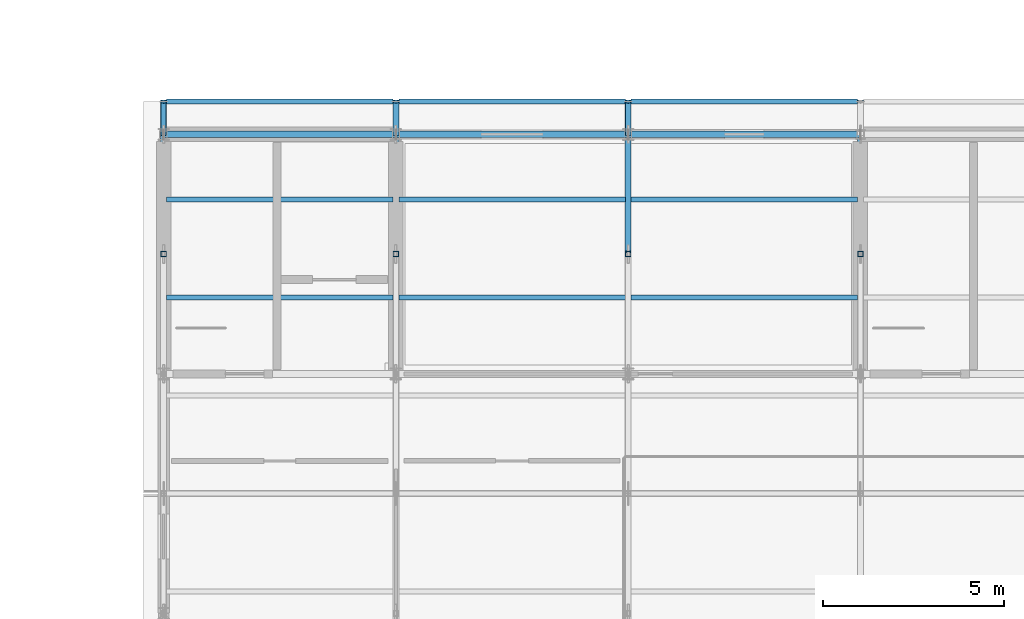
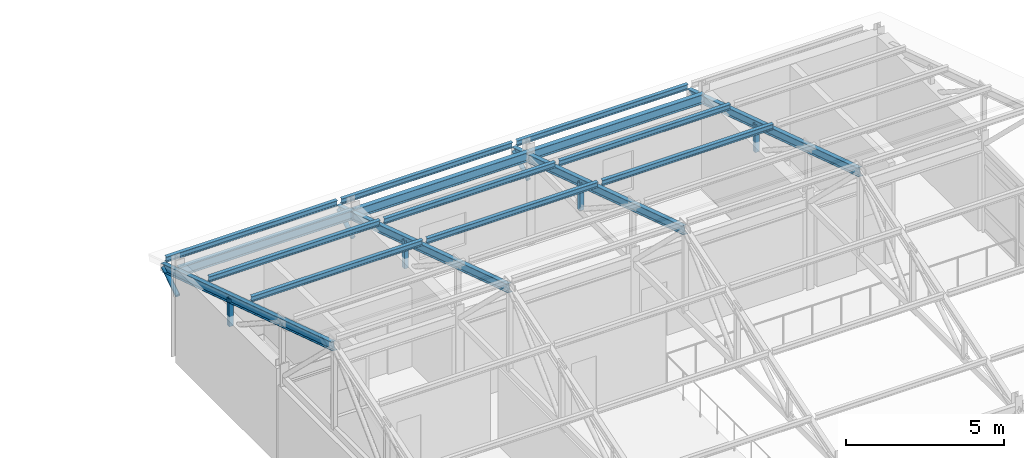
# One storey, part 16 of 57: 20 members, 3 beams.
"""IFC4 building model written with IfcOpenShell, lengths in metres."""

import ifcopenshell
import ifcopenshell.guid

model = None  # the IFC model being written
_history = None  # IfcOwnerHistory: only IFC2X3 demands one
_inside = {}  # id of a spatial element -> (the spatial element, [elements in it])
_under = {}  # id of a project, library or spatial element -> (it, [spatial elements below it])
_declared = {}  # id of a project -> (the project, [libraries it declares])
_typed = {}  # id of a type object -> (the type object, [elements of that type])
_made_of = {}  # id of a material, layer set ... -> (it, [elements and type objects made of it])


def new_model(schema):
    """Start an empty IFC model of exactly this schema.

    Asked for "IFC4X3", IfcOpenShell would pick the latest addendum, in which some entities
    have other attributes; the version numbers below select the first issue.
    IFC2X3 requires an IfcOwnerHistory on every rooted entity: one is made here for all.
    """
    global model, _history
    if schema == "IFC4X3":
        model = ifcopenshell.file(schema_version=(4, 3, 0, 0))
    else:
        model = ifcopenshell.file(schema=schema)
    _inside.clear()
    _under.clear()
    _declared.clear()
    _typed.clear()
    _made_of.clear()
    _history = None
    if model.schema == "IFC2X3":
        org = make("IfcOrganization", Name="unknown")
        user = make(
            "IfcPersonAndOrganization",
            ThePerson=make("IfcPerson", FamilyName="unknown"),
            TheOrganization=org,
        )
        app = make(
            "IfcApplication",
            ApplicationDeveloper=org,
            Version="unknown",
            ApplicationFullName="unknown",
            ApplicationIdentifier="unknown",
        )
        _history = make(
            "IfcOwnerHistory",
            OwningUser=user,
            OwningApplication=app,
            ChangeAction="ADDED",
            CreationDate=0,
        )
    return model


def make(cls, **values):
    """One entity of the class cls with the attributes given. An attribute that is None is left unset."""
    return model.create_entity(
        cls, **{name: value for name, value in values.items() if value is not None}
    )


def rooted(cls, **values):
    """An entity with a GlobalId (a new one), such as an element, a storey or a relation."""
    return make(cls, GlobalId=ifcopenshell.guid.new(), OwnerHistory=_history, **values)


def si_unit(unit_type, name, prefix=None):
    """IfcSIUnit, for example si_unit("LENGTHUNIT", "METRE", prefix="MILLI")."""
    return make("IfcSIUnit", UnitType=unit_type, Prefix=prefix, Name=name)


def assignment(units):
    """IfcUnitAssignment: the units of a project."""
    return None if units is None else make("IfcUnitAssignment", Units=units)


def point(xyz):
    """IfcCartesianPoint."""
    return None if xyz is None else make("IfcCartesianPoint", Coordinates=xyz)


def direction(xyz):
    """IfcDirection."""
    return None if xyz is None else make("IfcDirection", DirectionRatios=xyz)


def frame(location, z_axis=None, x_axis=None):
    """IfcAxis2Placement3D, a coordinate frame: its origin and axes. An axis left out is left unset."""
    return make(
        "IfcAxis2Placement3D",
        Location=point(location),
        Axis=direction(z_axis),
        RefDirection=direction(x_axis),
    )


def frame_2d(location, x_axis=None):
    """IfcAxis2Placement2D, a coordinate frame in the plane: its origin and x axis."""
    return make(
        "IfcAxis2Placement2D", Location=point(location), RefDirection=direction(x_axis)
    )


def origin():
    """The frame at (0, 0, 0) with its axes left unset."""
    return frame((0.0, 0.0, 0.0))


def origin_2d():
    """The frame at (0, 0) in the plane with its x axis left unset."""
    return frame_2d((0.0, 0.0))


def place(relative_to, where):
    """IfcLocalPlacement: puts the frame where relative to a parent placement (None: the world)."""
    return make(
        "IfcLocalPlacement", PlacementRelTo=relative_to, RelativePlacement=where
    )


def context(
    kind, dimensions, precision=None, world=None, true_north=None, identifier=None
):
    """IfcGeometricRepresentationContext, for example the 3D "Model" context."""
    return make(
        "IfcGeometricRepresentationContext",
        ContextIdentifier=identifier,
        ContextType=kind,
        CoordinateSpaceDimension=dimensions,
        Precision=precision,
        WorldCoordinateSystem=world,
        TrueNorth=true_north,
    )


def subcontext(parent, identifier, kind, view, scale=None):
    """IfcGeometricRepresentationSubContext, for example "Body" below "Model"."""
    return make(
        "IfcGeometricRepresentationSubContext",
        ContextIdentifier=identifier,
        ContextType=kind,
        ParentContext=parent,
        TargetScale=scale,
        TargetView=view,
    )


def project(units=None, contexts=None):
    """IfcProject with its units and contexts."""
    return rooted(
        "IfcProject",
        Name="project",
        RepresentationContexts=contexts,
        UnitsInContext=assignment(units),
    )


def spatial(cls, under=None, at=None, **own):
    """A site, building, storey or space (cls), placed at a placement, below another one or the project."""
    s = rooted(cls, ObjectPlacement=at, **own)
    if under is not None:
        _under.setdefault(under.id(), (under, []))[1].append(s)
    return s


def profile(cls, at=None, kind="AREA", **sizes):
    """A parametric profile (cls). Its sizes go by their IFC names, for example OverallWidth=200.0."""
    return make(cls, ProfileType=kind, Position=at, **sizes)


def hollow_rectangle(**sizes):
    """IfcRectangleHollowProfileDef."""
    return profile("IfcRectangleHollowProfileDef", **sizes)


def hollow_circle(**sizes):
    """IfcCircleHollowProfileDef."""
    return profile("IfcCircleHollowProfileDef", **sizes)


def i_section(**sizes):
    """IfcIShapeProfileDef."""
    return profile("IfcIShapeProfileDef", **sizes)


def extrude(swept, where, along, depth):
    """IfcExtrudedAreaSolid: the profile swept, set in the frame where, extruded along a direction by depth."""
    return make(
        "IfcExtrudedAreaSolid",
        SweptArea=swept,
        Position=where,
        ExtrudedDirection=direction(along),
        Depth=depth,
    )


def shape(context_of_items, identifier, shape_type, items):
    """IfcShapeRepresentation: the items that make up one representation, for example the "Body"."""
    return make(
        "IfcShapeRepresentation",
        ContextOfItems=context_of_items,
        RepresentationIdentifier=identifier,
        RepresentationType=shape_type,
        Items=items,
    )


def material(Name=None, Category=None):
    """IfcMaterial."""
    return make("IfcMaterial", Name=Name, Category=Category)


def material_profile(
    of_material, cross_section, Name=None, Category=None, Priority=None
):
    """IfcMaterialProfile: a cross section and its material."""
    return make(
        "IfcMaterialProfile",
        Name=Name,
        Material=of_material,
        Profile=cross_section,
        Priority=Priority,
        Category=Category,
    )


def profile_set(profiles, Name=None, composite=None):
    """IfcMaterialProfileSet."""
    return make(
        "IfcMaterialProfileSet",
        Name=Name,
        MaterialProfiles=profiles,
        CompositeProfile=composite,
    )


def made_of(thing, what):
    """Note that an element or type object is made of a material, layer set ...; save() writes the relation."""
    if what is not None:
        _made_of.setdefault(what.id(), (what, []))[1].append(thing)
    return thing


def type_object(cls, material=None, **own):
    """A type object (cls), such as IfcWallType, which elements share."""
    return made_of(rooted(cls, **own), material)


def element(
    cls,
    number,
    at=None,
    inside=None,
    cuts=None,
    type_object=None,
    material=None,
    context=None,
    identifier="Body",
    shape_type=None,
    held_by="IfcProductDefinitionShape",
    body=None,
    shapes=None,
    **own,
):
    """One element of the class cls, such as IfcWall. Its Tag is "e" and its number.

    at: its placement. inside: the storey or other place that contains it. cuts: it is an
    opening in that element (IfcRelVoidsElement). A single representation is given by context,
    identifier, shape_type and body (its items); several are given by shapes. held_by: the class
    of the entity that holds the representations. save() writes the other relations.
    """
    e = rooted(cls, Tag="e%d" % number, ObjectPlacement=at, **own)
    if body is not None:
        shapes = [shape(context, identifier, shape_type, body)]
    if shapes is not None:
        e.Representation = make(held_by, Representations=shapes)
    if inside is not None:
        _inside.setdefault(inside.id(), (inside, []))[1].append(e)
    if cuts is not None:
        rooted(
            "IfcRelVoidsElement", RelatingBuildingElement=cuts, RelatedOpeningElement=e
        )
    if type_object is not None:
        _typed.setdefault(type_object.id(), (type_object, []))[1].append(e)
    return made_of(e, material)


def aggregate(whole, parts):
    """IfcRelAggregates: a whole, such as a stair, and the parts it consists of."""
    return rooted("IfcRelAggregates", RelatingObject=whole, RelatedObjects=parts)


def save(model, path):
    """Write the relations noted so far, then the file.

    IfcRelAggregates (storeys below a building ...), IfcRelContainedInSpatialStructure (elements
    in a storey), IfcRelDefinesByType, IfcRelAssociatesMaterial and IfcRelDeclares: one each for
    every whole, place, type object, material and project.
    """
    for whole, parts in _under.values():
        aggregate(whole, parts)
    for where, things in _inside.values():
        rooted(
            "IfcRelContainedInSpatialStructure",
            RelatedElements=things,
            RelatingStructure=where,
        )
    for kind, things in _typed.values():
        rooted("IfcRelDefinesByType", RelatedObjects=things, RelatingType=kind)
    for what, things in _made_of.values():
        rooted("IfcRelAssociatesMaterial", RelatedObjects=things, RelatingMaterial=what)
    for by, libraries in _declared.values():
        rooted("IfcRelDeclares", RelatingContext=by, RelatedDefinitions=libraries)
    model.write(path)


model = new_model("IFC4")

# Units and contexts
model_context = context("Model", 3, precision=1e-05, world=origin(), true_north=direction((0.0, 1.0)))
body_context = subcontext(model_context, "Body", "Model", "MODEL_VIEW")
ifc_project = project(units=[si_unit("LENGTHUNIT", "METRE"), si_unit("AREAUNIT", "SQUARE_METRE"), si_unit("VOLUMEUNIT", "CUBIC_METRE"), si_unit("PLANEANGLEUNIT", "RADIAN"), si_unit("MASSUNIT", "GRAM", prefix="KILO")], contexts=[model_context])

# Site, building, storey
site_placement = place(None, origin())
site = spatial("IfcSite", under=ifc_project, at=site_placement, CompositionType="ELEMENT")
building_placement = place(site_placement, origin())
building = spatial("IfcBuilding", under=site, at=building_placement, Name="Trelmorton Wharf Fire Station", CompositionType="ELEMENT")
storey_placement = place(building_placement, frame((0.0, 0.0, 13.5)))
storey = spatial("IfcBuildingStorey", under=building, at=storey_placement, Name="L03", CompositionType="ELEMENT", Elevation=13.5)

# Members
ifc_material_1 = material(Name="Steel Grade 300 (300 MPa)", Category="steel")
ifc_material_profile_1 = material_profile(ifc_material_1, i_section(OverallWidth=0.134033203125, OverallDepth=0.20703125, WebThickness=0.00634765625, FlangeThickness=0.009521484375, FilletRadius=0.0087890625, at=origin_2d()), Name="200UB29.8")
ifc_profile_set_1 = profile_set([ifc_material_profile_1], Name="Steel Grade 300 (300 MPa)")
member_type_1 = type_object("IfcMemberType", Name="PR_200UB30", PredefinedType="PURLIN", material=ifc_profile_set_1)
for number, where, z_axis, x_axis, name in (
    (1, (58.080078125, 23.10009765625, 5.00048828125), (1.0, 0.0, 0.0), (0.0, 1.0, 0.0), "V3-PR-B01-N2"),
    (2, (58.080078125, 25.800048828125, 4.127685546875), (1.0, 0.0, 0.0), (0.0, 1.0, 0.0), "V3-PR-B01-N3"),
    (3, (58.080078125, 28.5, 3.255126953125), (1.0, 0.0, 0.0), (0.0, 1.0, 0.0), "V3-PR-B01-N4"),
    (4, (64.47998046875, 23.10009765625, 5.00048828125), (1.0, 0.0, 0.0), (0.0, 1.0, 0.0), "V3-PR-B02-N2"),
    (5, (64.47998046875, 25.800048828125, 4.127685546875), (1.0, 0.0, 0.0), (0.0, 1.0, 0.0), "V3-PR-B02-N3"),
    (6, (64.47998046875, 28.5, 3.255126953125), (1.0, 0.0, 0.0), (0.0, 1.0, 0.0), "V3-PR-B02-N4"),
):
    element("IfcMember", number, at=place(storey_placement, frame(where, z_axis=z_axis, x_axis=x_axis)), inside=storey, type_object=member_type_1, Name=name, PredefinedType="PURLIN", context=body_context, shape_type="SweptSolid", body=[
        extrude(i_section(OverallWidth=0.134033203125, OverallDepth=0.20703125, WebThickness=0.00634765625, FlangeThickness=0.009521484375, FilletRadius=0.0087890625, at=origin_2d()), origin(), (0.0, 0.0, 1.0), 6.239990234375),
    ])
for number, where, z_axis, x_axis, name in (
    (7, (70.8798828125, 23.10009765625, 5.00048828125), (1.0, 0.0, 0.0), (0.0, 1.0, 0.0), "V3-PR-B03-N2"),
    (8, (70.8798828125, 25.800048828125, 4.127685546875), (1.0, 0.0, 0.0), (0.0, 1.0, 0.0), "V3-PR-B03-N3"),
    (9, (70.8798828125, 28.5, 3.255126953125), (1.0, 0.0, 0.0), (0.0, 1.0, 0.0), "V3-PR-B03-N4"),
):
    element("IfcMember", number, at=place(storey_placement, frame(where, z_axis=z_axis, x_axis=x_axis)), inside=storey, type_object=member_type_1, Name=name, PredefinedType="PURLIN", context=body_context, shape_type="SweptSolid", body=[
        extrude(i_section(OverallWidth=0.134033203125, OverallDepth=0.20703125, WebThickness=0.00634765625, FlangeThickness=0.009521484375, FilletRadius=0.0087890625, at=origin_2d()), origin(), (0.0, 0.0, 1.0), 6.240234375),
    ])

# Beams
ifc_material_2 = material(Name="Steel Grade 350", Category="steel")
ifc_material_profile_2 = material_profile(ifc_material_2, i_section(OverallWidth=0.1708984375, OverallDepth=0.35595703125, WebThickness=0.00732421875, FlangeThickness=0.011474609375, FilletRadius=0.011474609375, at=origin_2d()), Name="360UB50.7")
ifc_profile_set_2 = profile_set([ifc_material_profile_2], Name="Steel Grade 350")
beam_type = type_object("IfcBeamType", Name="SP_360UB51", PredefinedType="SPANDREL", material=ifc_profile_set_2)
beam_1_placement = place(storey_placement, frame((58.00390625, 27.60009765625, 3.342041015625), z_axis=(1.0, 0.0, 0.0), x_axis=(0.0, 1.0, 0.0)))
element("IfcBeam", 10, at=beam_1_placement, inside=storey, type_object=beam_type, Name="BM-L03-0905", PredefinedType="SPANDREL", context=body_context, shape_type="SweptSolid", body=[
    extrude(i_section(OverallWidth=0.1708984375, OverallDepth=0.35595703125, WebThickness=0.00732421875, FlangeThickness=0.011474609375, FilletRadius=0.011474609375, at=origin_2d()), origin(), (0.0, 0.0, 1.0), 6.39208984375),
])
beam_2_placement = place(storey_placement, frame((64.404052734375, 27.60009765625, 3.342041015625), z_axis=(1.0, 0.0, 0.0), x_axis=(0.0, 1.0, 0.0)))
element("IfcBeam", 11, at=beam_2_placement, inside=storey, type_object=beam_type, Name="BM-L03-0906", PredefinedType="SPANDREL", context=body_context, shape_type="SweptSolid", body=[
    extrude(i_section(OverallWidth=0.1708984375, OverallDepth=0.35595703125, WebThickness=0.00732421875, FlangeThickness=0.011474609375, FilletRadius=0.011474609375, at=origin_2d()), origin(), (0.0, 0.0, 1.0), 6.391845703125),
])
beam_3_placement = place(storey_placement, frame((70.803955078125, 27.60009765625, 3.342041015625), z_axis=(1.0, 0.0, 0.0), x_axis=(0.0, 1.0, 0.0)))
element("IfcBeam", 12, at=beam_3_placement, inside=storey, type_object=beam_type, Name="BM-L03-0907", PredefinedType="SPANDREL", context=body_context, shape_type="SweptSolid", body=[
    extrude(i_section(OverallWidth=0.1708984375, OverallDepth=0.35595703125, WebThickness=0.00732421875, FlangeThickness=0.011474609375, FilletRadius=0.011474609375, at=origin_2d()), origin(), (0.0, 0.0, 1.0), 6.39208984375),
])

# Members
ifc_material_3 = material(Name="Steel C350L0 (350 MPa)", Category="steel")
ifc_material_profile_3 = material_profile(ifc_material_3, hollow_circle(Radius=0.084228515625, WallThickness=0.007080078125, at=origin_2d()), Name="168.3x7.1CHS")
ifc_profile_set_3 = profile_set([ifc_material_profile_3], Name="Steel C350L0 (350 MPa)")
member_type_2 = type_object("IfcMemberType", Name="TR_DIAG_168CHS", PredefinedType="STRUT", material=ifc_profile_set_3)
for number, where, z_axis, x_axis, name in (
    (13, (58.0, 27.60009765625, 2.39990234375), (0.0, 0.842586769178, 0.538560615351), (-1.0, 0.0, 0.0), "V3-TR01-EAV-N"),
    (14, (64.39990234375, 27.60009765625, 2.39990234375), (0.0, 0.842586769178, 0.538560615351), (-1.0, 0.0, 0.0), "V3-TR02-EAV-N"),
    (15, (70.800048828125, 27.60009765625, 2.39990234375), (0.0, 0.842586769178, 0.538560615351), (-1.0, 0.0, 0.0), "V3-TR03-EAV-N"),
):
    element("IfcMember", number, at=place(storey_placement, frame(where, z_axis=z_axis, x_axis=x_axis)), inside=storey, type_object=member_type_2, Name=name, PredefinedType="STRUT", context=body_context, shape_type="SweptSolid", body=[
        extrude(hollow_circle(Radius=0.084228515625, WallThickness=0.007080078125, at=origin_2d()), origin(), (0.0, 0.0, 1.0), 1.068115234375),
    ])
ifc_material_profile_4 = material_profile(ifc_material_3, hollow_rectangle(XDim=0.14990234375, YDim=0.14990234375, WallThickness=0.009033203125, at=origin_2d()), Name="150x150x9.0SHS")
ifc_profile_set_4 = profile_set([ifc_material_profile_4], Name="Steel C350L0 (350 MPa)")
member_type_3 = type_object("IfcMemberType", Name="TR_POST_150SHS", PredefinedType="POST", material=ifc_profile_set_4)
for number, where, z_axis, x_axis, name in (
    (16, (58.0, 24.300048828125, 3.265869140625), (0.0, 0.0, 1.0), (1.0, 0.0, 0.0), "V3-TR01-VP-N1"),
    (17, (64.39990234375, 24.300048828125, 3.265869140625), (0.0, 0.0, 1.0), (1.0, 0.0, 0.0), "V3-TR02-VP-N1"),
    (18, (70.800048828125, 24.300048828125, 3.265869140625), (0.0, 0.0, 1.0), (1.0, 0.0, 0.0), "V3-TR03-VP-N1"),
    (19, (77.199951171875, 24.300048828125, 3.265869140625), (0.0, 0.0, 1.0), (1.0, 0.0, 0.0), "V3-TR04-VP-N1"),
):
    element("IfcMember", number, at=place(storey_placement, frame(where, z_axis=z_axis, x_axis=x_axis)), inside=storey, type_object=member_type_3, Name=name, PredefinedType="POST", context=body_context, shape_type="SweptSolid", body=[
        extrude(hollow_rectangle(XDim=0.14990234375, YDim=0.14990234375, WallThickness=0.009033203125, at=origin_2d()), origin(), (0.0, 0.0, 1.0), 1.066650390625),
    ])
ifc_material_profile_5 = material_profile(ifc_material_2, i_section(OverallWidth=0.166015625, OverallDepth=0.306884765625, WebThickness=0.006591796875, FlangeThickness=0.01171875, FilletRadius=0.011474609375, at=origin_2d()), Name="310UB46.2")
ifc_profile_set_5 = profile_set([ifc_material_profile_5], Name="Steel Grade 350")
member_type_4 = type_object("IfcMemberType", Name="TR_RAFT_310UB", PredefinedType="RAFTER", material=ifc_profile_set_5)
for number, where, z_axis, x_axis, name in (
    (20, (58.0, 17.699951171875, 6.4658203125), (0.0, 0.951532489935, -0.30754824109), (-1.0, 0.0, 0.0), "V3-TR01-RFN"),
    (21, (64.39990234375, 17.699951171875, 6.4658203125), (0.0, 0.951532489935, -0.30754824109), (-1.0, 0.0, 0.0), "V3-TR02-RFN"),
    (22, (70.800048828125, 17.699951171875, 6.4658203125), (0.0, 0.951532489935, -0.30754824109), (-1.0, 0.0, 0.0), "V3-TR03-RFN"),
    (23, (77.199951171875, 17.699951171875, 6.4658203125), (0.0, 0.951532489935, -0.30754824109), (-1.0, 0.0, 0.0), "V3-TR04-RFN"),
):
    element("IfcMember", number, at=place(storey_placement, frame(where, z_axis=z_axis, x_axis=x_axis)), inside=storey, type_object=member_type_4, Name=name, PredefinedType="RAFTER", context=body_context, shape_type="SweptSolid", body=[
        extrude(i_section(OverallWidth=0.166015625, OverallDepth=0.306884765625, WebThickness=0.006591796875, FlangeThickness=0.01171875, FilletRadius=0.011474609375, at=origin_2d()), origin(), (0.0, 0.0, 1.0), 11.35009765625),
    ])

save(model, "model.ifc")
